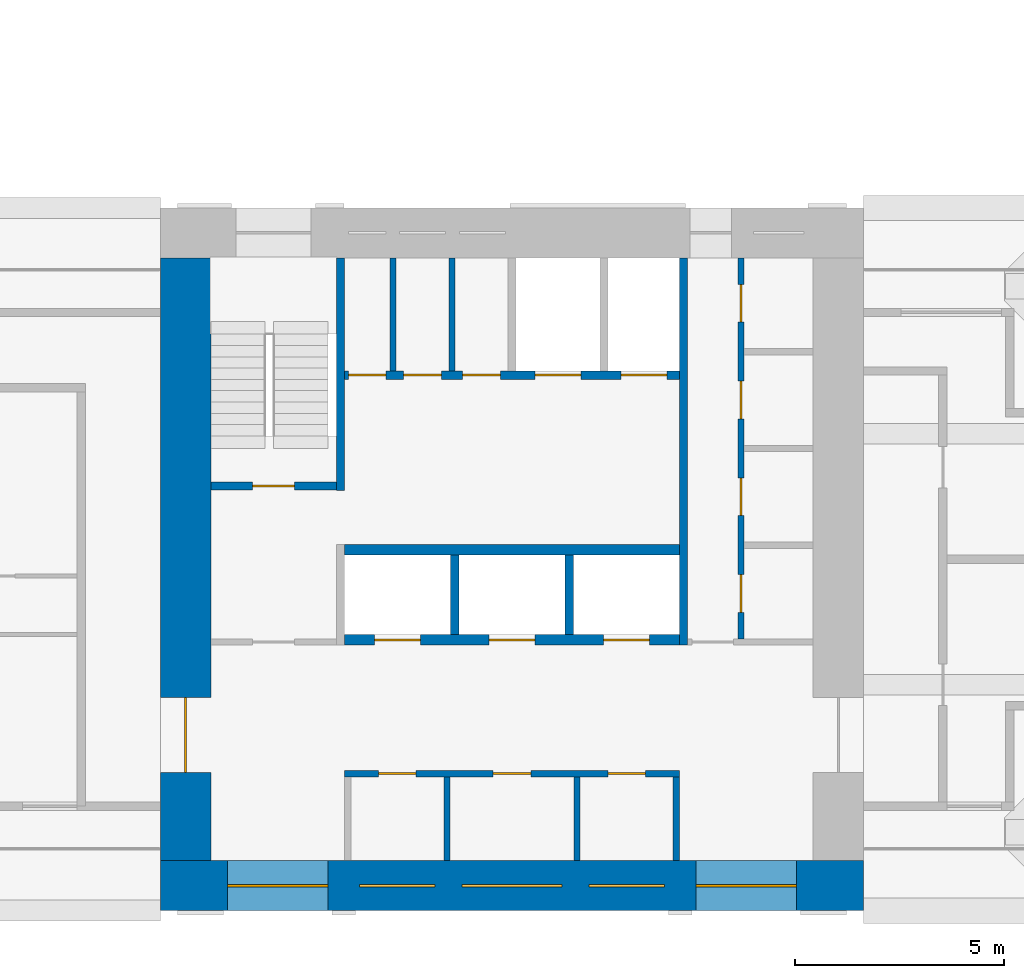
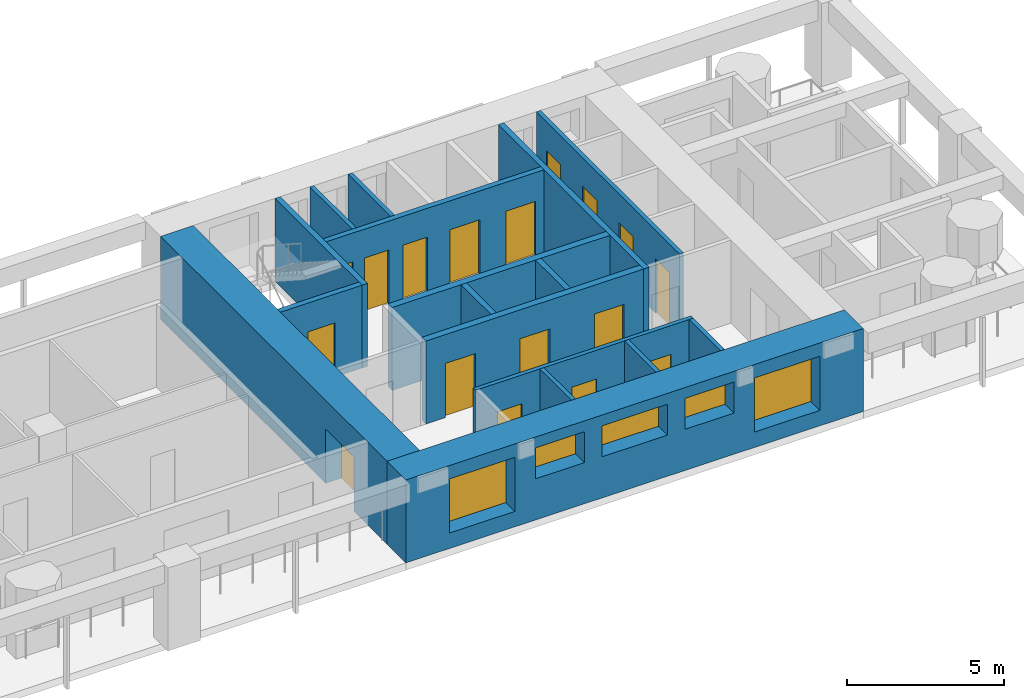
# One storey, part 4 of 13: 17 doors, 17 walls, 5 windows, 22 openings.
"""IFC4 building model written with IfcOpenShell, lengths in metres."""

import ifcopenshell
import ifcopenshell.guid

model = None  # the IFC model being written
_history = None  # IfcOwnerHistory: only IFC2X3 demands one
_inside = {}  # id of a spatial element -> (the spatial element, [elements in it])
_under = {}  # id of a project, library or spatial element -> (it, [spatial elements below it])
_declared = {}  # id of a project -> (the project, [libraries it declares])
_typed = {}  # id of a type object -> (the type object, [elements of that type])
_made_of = {}  # id of a material, layer set ... -> (it, [elements and type objects made of it])


def new_model(schema):
    """Start an empty IFC model of exactly this schema.

    Asked for "IFC4X3", IfcOpenShell would pick the latest addendum, in which some entities
    have other attributes; the version numbers below select the first issue.
    IFC2X3 requires an IfcOwnerHistory on every rooted entity: one is made here for all.
    """
    global model, _history
    if schema == "IFC4X3":
        model = ifcopenshell.file(schema_version=(4, 3, 0, 0))
    else:
        model = ifcopenshell.file(schema=schema)
    _inside.clear()
    _under.clear()
    _declared.clear()
    _typed.clear()
    _made_of.clear()
    _history = None
    if model.schema == "IFC2X3":
        org = make("IfcOrganization", Name="unknown")
        user = make(
            "IfcPersonAndOrganization",
            ThePerson=make("IfcPerson", FamilyName="unknown"),
            TheOrganization=org,
        )
        app = make(
            "IfcApplication",
            ApplicationDeveloper=org,
            Version="unknown",
            ApplicationFullName="unknown",
            ApplicationIdentifier="unknown",
        )
        _history = make(
            "IfcOwnerHistory",
            OwningUser=user,
            OwningApplication=app,
            ChangeAction="ADDED",
            CreationDate=0,
        )
    return model


def make(cls, **values):
    """One entity of the class cls with the attributes given. An attribute that is None is left unset."""
    return model.create_entity(
        cls, **{name: value for name, value in values.items() if value is not None}
    )


def rooted(cls, **values):
    """An entity with a GlobalId (a new one), such as an element, a storey or a relation."""
    return make(cls, GlobalId=ifcopenshell.guid.new(), OwnerHistory=_history, **values)


def si_unit(unit_type, name, prefix=None):
    """IfcSIUnit, for example si_unit("LENGTHUNIT", "METRE", prefix="MILLI")."""
    return make("IfcSIUnit", UnitType=unit_type, Prefix=prefix, Name=name)


def assignment(units):
    """IfcUnitAssignment: the units of a project."""
    return None if units is None else make("IfcUnitAssignment", Units=units)


def point(xyz):
    """IfcCartesianPoint."""
    return None if xyz is None else make("IfcCartesianPoint", Coordinates=xyz)


def direction(xyz):
    """IfcDirection."""
    return None if xyz is None else make("IfcDirection", DirectionRatios=xyz)


def frame(location, z_axis=None, x_axis=None):
    """IfcAxis2Placement3D, a coordinate frame: its origin and axes. An axis left out is left unset."""
    return make(
        "IfcAxis2Placement3D",
        Location=point(location),
        Axis=direction(z_axis),
        RefDirection=direction(x_axis),
    )


def frame_2d(location, x_axis=None):
    """IfcAxis2Placement2D, a coordinate frame in the plane: its origin and x axis."""
    return make(
        "IfcAxis2Placement2D", Location=point(location), RefDirection=direction(x_axis)
    )


def origin():
    """The frame at (0, 0, 0) with its axes left unset."""
    return frame((0.0, 0.0, 0.0))


def place(relative_to, where):
    """IfcLocalPlacement: puts the frame where relative to a parent placement (None: the world)."""
    return make(
        "IfcLocalPlacement", PlacementRelTo=relative_to, RelativePlacement=where
    )


def context(
    kind, dimensions, precision=None, world=None, true_north=None, identifier=None
):
    """IfcGeometricRepresentationContext, for example the 3D "Model" context."""
    return make(
        "IfcGeometricRepresentationContext",
        ContextIdentifier=identifier,
        ContextType=kind,
        CoordinateSpaceDimension=dimensions,
        Precision=precision,
        WorldCoordinateSystem=world,
        TrueNorth=true_north,
    )


def subcontext(parent, identifier, kind, view, scale=None):
    """IfcGeometricRepresentationSubContext, for example "Body" below "Model"."""
    return make(
        "IfcGeometricRepresentationSubContext",
        ContextIdentifier=identifier,
        ContextType=kind,
        ParentContext=parent,
        TargetScale=scale,
        TargetView=view,
    )


def project(units=None, contexts=None):
    """IfcProject with its units and contexts."""
    return rooted(
        "IfcProject",
        Name="project",
        RepresentationContexts=contexts,
        UnitsInContext=assignment(units),
    )


def spatial(cls, under=None, at=None, **own):
    """A site, building, storey or space (cls), placed at a placement, below another one or the project."""
    s = rooted(cls, ObjectPlacement=at, **own)
    if under is not None:
        _under.setdefault(under.id(), (under, []))[1].append(s)
    return s


def profile(cls, at=None, kind="AREA", **sizes):
    """A parametric profile (cls). Its sizes go by their IFC names, for example OverallWidth=200.0."""
    return make(cls, ProfileType=kind, Position=at, **sizes)


def rectangle(**sizes):
    """IfcRectangleProfileDef."""
    return profile("IfcRectangleProfileDef", **sizes)


def extrude(swept, where, along, depth):
    """IfcExtrudedAreaSolid: the profile swept, set in the frame where, extruded along a direction by depth."""
    return make(
        "IfcExtrudedAreaSolid",
        SweptArea=swept,
        Position=where,
        ExtrudedDirection=direction(along),
        Depth=depth,
    )


def shape(context_of_items, identifier, shape_type, items):
    """IfcShapeRepresentation: the items that make up one representation, for example the "Body"."""
    return make(
        "IfcShapeRepresentation",
        ContextOfItems=context_of_items,
        RepresentationIdentifier=identifier,
        RepresentationType=shape_type,
        Items=items,
    )


def material(Name=None, Category=None):
    """IfcMaterial."""
    return make("IfcMaterial", Name=Name, Category=Category)


def layer(
    of_material, thickness, ventilated=None, Name=None, Category=None, Priority=None
):
    """IfcMaterialLayer: one layer of a wall or slab, of a material (None: an air gap)."""
    return make(
        "IfcMaterialLayer",
        Material=of_material,
        LayerThickness=thickness,
        IsVentilated=ventilated,
        Name=Name,
        Category=Category,
        Priority=Priority,
    )


def layer_set(layers, Name=None):
    """IfcMaterialLayerSet."""
    return make("IfcMaterialLayerSet", MaterialLayers=layers, LayerSetName=Name)


def made_of(thing, what):
    """Note that an element or type object is made of a material, layer set ...; save() writes the relation."""
    if what is not None:
        _made_of.setdefault(what.id(), (what, []))[1].append(thing)
    return thing


def type_object(cls, material=None, **own):
    """A type object (cls), such as IfcWallType, which elements share."""
    return made_of(rooted(cls, **own), material)


def element(
    cls,
    number,
    at=None,
    inside=None,
    cuts=None,
    type_object=None,
    material=None,
    context=None,
    identifier="Body",
    shape_type=None,
    held_by="IfcProductDefinitionShape",
    body=None,
    shapes=None,
    **own,
):
    """One element of the class cls, such as IfcWall. Its Tag is "e" and its number.

    at: its placement. inside: the storey or other place that contains it. cuts: it is an
    opening in that element (IfcRelVoidsElement). A single representation is given by context,
    identifier, shape_type and body (its items); several are given by shapes. held_by: the class
    of the entity that holds the representations. save() writes the other relations.
    """
    e = rooted(cls, Tag="e%d" % number, ObjectPlacement=at, **own)
    if body is not None:
        shapes = [shape(context, identifier, shape_type, body)]
    if shapes is not None:
        e.Representation = make(held_by, Representations=shapes)
    if inside is not None:
        _inside.setdefault(inside.id(), (inside, []))[1].append(e)
    if cuts is not None:
        rooted(
            "IfcRelVoidsElement", RelatingBuildingElement=cuts, RelatedOpeningElement=e
        )
    if type_object is not None:
        _typed.setdefault(type_object.id(), (type_object, []))[1].append(e)
    return made_of(e, material)


def fill(opening, filler):
    """IfcRelFillsElement: the door or window that sits in an opening."""
    return rooted(
        "IfcRelFillsElement",
        RelatingOpeningElement=opening,
        RelatedBuildingElement=filler,
    )


def aggregate(whole, parts):
    """IfcRelAggregates: a whole, such as a stair, and the parts it consists of."""
    return rooted("IfcRelAggregates", RelatingObject=whole, RelatedObjects=parts)


def save(model, path):
    """Write the relations noted so far, then the file.

    IfcRelAggregates (storeys below a building ...), IfcRelContainedInSpatialStructure (elements
    in a storey), IfcRelDefinesByType, IfcRelAssociatesMaterial and IfcRelDeclares: one each for
    every whole, place, type object, material and project.
    """
    for whole, parts in _under.values():
        aggregate(whole, parts)
    for where, things in _inside.values():
        rooted(
            "IfcRelContainedInSpatialStructure",
            RelatedElements=things,
            RelatingStructure=where,
        )
    for kind, things in _typed.values():
        rooted("IfcRelDefinesByType", RelatedObjects=things, RelatingType=kind)
    for what, things in _made_of.values():
        rooted("IfcRelAssociatesMaterial", RelatedObjects=things, RelatingMaterial=what)
    for by, libraries in _declared.values():
        rooted("IfcRelDeclares", RelatingContext=by, RelatedDefinitions=libraries)
    model.write(path)


model = new_model("IFC4")

# Units and contexts
model_context = context("Model", 3, precision=1e-05, world=origin(), true_north=direction((0.0, 1.0)))
body_context = subcontext(model_context, "Body", "Model", "MODEL_VIEW")
ifc_project = project(units=[si_unit("LENGTHUNIT", "METRE"), si_unit("AREAUNIT", "SQUARE_METRE"), si_unit("VOLUMEUNIT", "CUBIC_METRE"), si_unit("PLANEANGLEUNIT", "RADIAN"), si_unit("MASSUNIT", "GRAM", prefix="KILO")], contexts=[model_context])

# Site, building, storey
site_placement = place(None, origin())
site = spatial("IfcSite", under=ifc_project, at=site_placement, CompositionType="ELEMENT")
building_placement = place(site_placement, origin())
building = spatial("IfcBuilding", under=site, at=building_placement, Name="Vermilion Gate Residences", CompositionType="ELEMENT")
storey_placement = place(building_placement, frame((0.0, 0.0, 165.199951171875)))
storey = spatial("IfcBuildingStorey", under=building, at=storey_placement, Name="L42", CompositionType="ELEMENT", Elevation=165.199951171875)

# Walls
ifc_material_1 = material(Name="Masonry blockwork", Category="masonry")
ifc_layer_1 = layer(ifc_material_1, 0.14990234375)
ifc_layer_set_1 = layer_set([ifc_layer_1], Name="BLOCKWORK PARTITION 150 EI 120")
wall_type_1 = type_object("IfcWallType", Name="BLOCKWORK PARTITION 150 EI 120", PredefinedType="PARTITIONING", material=ifc_layer_set_1)
for number, where, z_axis, x_axis, name in (
    (1, (54.324951171875, 9.60009765625, 0.0), (0.0, 0.0, 1.0), (0.0, 1.0, 0.0), "Core room partition A42-RW-E"),
    (2, (48.844970703125, 9.60009765625, 0.0), (0.0, 0.0, 1.0), (0.0, 1.0, 0.0), "Core room partition A42-SR-P0"),
    (3, (51.955078125, 9.60009765625, 0.0), (0.0, 0.0, 1.0), (0.0, 1.0, 0.0), "Core room partition A42-SR-P1"),
):
    element("IfcWall", number, at=place(storey_placement, frame(where, z_axis=z_axis, x_axis=x_axis)), inside=storey, type_object=wall_type_1, Name=name, PredefinedType="PARTITIONING", context=body_context, shape_type="SweptSolid", body=[
        extrude(rectangle(XDim=2.0, YDim=0.14990234375, at=frame_2d((1.0, 0.0))), origin(), (0.0, 0.0, 1.0), 3.219970703125),
    ])

# Wall, openings, doors
wall_1_placement = place(storey_placement, frame((46.39990234375, 11.675048828125, 0.0), z_axis=(0.0, 0.0, 1.0), x_axis=(1.0, 0.0, 0.0)))
wall_1 = element("IfcWall", 4, at=wall_1_placement, inside=storey, type_object=wall_type_1, Name="Core room partition A42-LR-F", PredefinedType="PARTITIONING", context=body_context, shape_type="SweptSolid", body=[
    extrude(rectangle(XDim=8.0, YDim=0.14990234375, at=frame_2d((4.0, 0.0))), origin(), (0.0, 0.0, 1.0), 3.219970703125),
])
opening_1_placement = place(wall_1_placement, frame((0.81005859375, 0.0, 0.0)))
opening_1 = element("IfcOpeningElement", 5, at=opening_1_placement, cuts=wall_1, Name="Opening DK42003", PredefinedType="OPENING", context=body_context, shape_type="SweptSolid", body=[
    extrude(rectangle(XDim=0.89990234375, YDim=2.10009765625, at=frame_2d((0.449951171875, 1.050048828125))), frame((0.0, 0.0849609375, 0.0), z_axis=(0.0, -1.0, 0.0), x_axis=(1.0, 0.0, 0.0)), (0.0, 0.0, 1.0), 0.169921875),
])
opening_2_placement = place(wall_1_placement, frame((3.550048828125, 0.0, 0.0)))
opening_2 = element("IfcOpeningElement", 6, at=opening_2_placement, cuts=wall_1, Name="Opening DK42004", PredefinedType="OPENING", context=body_context, shape_type="SweptSolid", body=[
    extrude(rectangle(XDim=0.89990234375, YDim=2.10009765625, at=frame_2d((0.449951171875, 1.050048828125))), frame((0.0, 0.0849609375, 0.0), z_axis=(0.0, -1.0, 0.0), x_axis=(1.0, 0.0, 0.0)), (0.0, 0.0, 1.0), 0.169921875),
])
opening_3_placement = place(wall_1_placement, frame((6.2900390625, 0.0, 0.0)))
opening_3 = element("IfcOpeningElement", 7, at=opening_3_placement, cuts=wall_1, Name="Opening DK42005", PredefinedType="OPENING", context=body_context, shape_type="SweptSolid", body=[
    extrude(rectangle(XDim=0.89990234375, YDim=2.10009765625, at=frame_2d((0.449951171875, 1.050048828125))), frame((0.0, 0.0849609375, 0.0), z_axis=(0.0, -1.0, 0.0), x_axis=(1.0, 0.0, 0.0)), (0.0, 0.0, 1.0), 0.169921875),
])
ifc_material_2 = material(Name="Steel", Category="steel")
door_type_1 = type_object("IfcDoorType", Name="SERVICE ROOM DOOR FD60 900 X 2100", OperationType="SINGLE_SWING_LEFT", PredefinedType="DOOR", material=ifc_material_2)
door_1_placement = place(opening_1_placement, frame((0.89990234375, 0.0, 0.0), z_axis=(0.0, 0.0, 1.0), x_axis=(-1.0, 0.0, 0.0)))
door_1 = element("IfcDoor", 8, at=door_1_placement, inside=storey, type_object=door_type_1, Name="Refuse room A42", OperationType="SINGLE_SWING_RIGHT", OverallHeight=2.10009765625, OverallWidth=0.89990234375, PredefinedType="DOOR", context=body_context, shape_type="SweptSolid", body=[
    extrude(rectangle(XDim=0.89990234375, YDim=2.10009765625, at=frame_2d((0.449951171875, 1.050048828125))), frame((0.0, 0.02490234375, 0.0), z_axis=(0.0, -1.0, 0.0), x_axis=(1.0, 0.0, 0.0)), (0.0, 0.0, 1.0), 0.050048828125),
])
fill(opening_1, door_1)
door_2_placement = place(opening_2_placement, frame((0.89990234375, 0.0, 0.0), z_axis=(0.0, 0.0, 1.0), x_axis=(-1.0, 0.0, 0.0)))
door_2 = element("IfcDoor", 9, at=door_2_placement, inside=storey, type_object=door_type_1, Name="Parcel room A42", OperationType="SINGLE_SWING_RIGHT", OverallHeight=2.10009765625, OverallWidth=0.89990234375, PredefinedType="DOOR", context=body_context, shape_type="SweptSolid", body=[
    extrude(rectangle(XDim=0.89990234375, YDim=2.10009765625, at=frame_2d((0.449951171875, 1.050048828125))), frame((0.0, 0.02490234375, 0.0), z_axis=(0.0, -1.0, 0.0), x_axis=(1.0, 0.0, 0.0)), (0.0, 0.0, 1.0), 0.050048828125),
])
fill(opening_2, door_2)
door_3_placement = place(opening_3_placement, frame((0.89990234375, 0.0, 0.0), z_axis=(0.0, 0.0, 1.0), x_axis=(-1.0, 0.0, 0.0)))
door_3 = element("IfcDoor", 10, at=door_3_placement, inside=storey, type_object=door_type_1, Name="Housekeeping store A42", OperationType="SINGLE_SWING_RIGHT", OverallHeight=2.10009765625, OverallWidth=0.89990234375, PredefinedType="DOOR", context=body_context, shape_type="SweptSolid", body=[
    extrude(rectangle(XDim=0.89990234375, YDim=2.10009765625, at=frame_2d((0.449951171875, 1.050048828125))), frame((0.0, 0.02490234375, 0.0), z_axis=(0.0, -1.0, 0.0), x_axis=(1.0, 0.0, 0.0)), (0.0, 0.0, 1.0), 0.050048828125),
])
fill(opening_3, door_3)

# Walls
for number, where, z_axis, x_axis, name in (
    (11, (47.554931640625, 21.300048828125, 0.0), (0.0, 0.0, 1.0), (0.0, 1.0, 0.0), "Core room partition A42-NR-P0"),
    (12, (48.965087890625, 21.300048828125, 0.0), (0.0, 0.0, 1.0), (0.0, 1.0, 0.0), "Core room partition A42-NR-P1"),
):
    element("IfcWall", number, at=place(storey_placement, frame(where, z_axis=z_axis, x_axis=x_axis)), inside=storey, type_object=wall_type_1, Name=name, PredefinedType="PARTITIONING", context=body_context, shape_type="SweptSolid", body=[
        extrude(rectangle(XDim=2.699951171875, YDim=0.14990234375, at=frame_2d((1.35009765625, 0.0))), origin(), (0.0, 0.0, 1.0), 3.219970703125),
    ])

# Wall, openings, doors
wall_2_placement = place(storey_placement, frame((55.875, 14.89990234375, 0.0), z_axis=(0.0, 0.0, 1.0), x_axis=(0.0, 1.0, 0.0)))
wall_2 = element("IfcWall", 13, at=wall_2_placement, inside=storey, type_object=wall_type_1, Name="Core room partition A42-ES-W", PredefinedType="PARTITIONING", context=body_context, shape_type="SweptSolid", body=[
    extrude(rectangle(XDim=9.10009765625, YDim=0.14990234375, at=frame_2d((4.550048828125, 0.0))), origin(), (0.0, 0.0, 1.0), 3.219970703125),
])
opening_4_placement = place(wall_2_placement, frame((0.63134765625, 0.0, 0.0)))
opening_4 = element("IfcOpeningElement", 14, at=opening_4_placement, cuts=wall_2, Name="Opening DK42017", PredefinedType="OPENING", context=body_context, shape_type="SweptSolid", body=[
    extrude(rectangle(XDim=0.89990234375, YDim=2.10009765625, at=frame_2d((0.449951171875, 1.050048828125))), frame((0.0, 0.0849609375, 0.0), z_axis=(0.0, -1.0, 0.0), x_axis=(1.0, 0.0, 0.0)), (0.0, 0.0, 1.0), 0.169921875),
])
opening_5_placement = place(wall_2_placement, frame((2.94384765625, 0.0, 0.0)))
opening_5 = element("IfcOpeningElement", 15, at=opening_5_placement, cuts=wall_2, Name="Opening DK42018", PredefinedType="OPENING", context=body_context, shape_type="SweptSolid", body=[
    extrude(rectangle(XDim=0.89990234375, YDim=2.10009765625, at=frame_2d((0.449951171875, 1.050048828125))), frame((0.0, 0.0849609375, 0.0), z_axis=(0.0, -1.0, 0.0), x_axis=(1.0, 0.0, 0.0)), (0.0, 0.0, 1.0), 0.169921875),
])
opening_6_placement = place(wall_2_placement, frame((5.25634765625, 0.0, 0.0)))
opening_6 = element("IfcOpeningElement", 16, at=opening_6_placement, cuts=wall_2, Name="Opening DK42019", PredefinedType="OPENING", context=body_context, shape_type="SweptSolid", body=[
    extrude(rectangle(XDim=0.89990234375, YDim=2.10009765625, at=frame_2d((0.449951171875, 1.050048828125))), frame((0.0, 0.0849609375, 0.0), z_axis=(0.0, -1.0, 0.0), x_axis=(1.0, 0.0, 0.0)), (0.0, 0.0, 1.0), 0.169921875),
])
opening_7_placement = place(wall_2_placement, frame((7.56884765625, 0.0, 0.0)))
opening_7 = element("IfcOpeningElement", 17, at=opening_7_placement, cuts=wall_2, Name="Opening DK42020", PredefinedType="OPENING", context=body_context, shape_type="SweptSolid", body=[
    extrude(rectangle(XDim=0.89990234375, YDim=2.10009765625, at=frame_2d((0.449951171875, 1.050048828125))), frame((0.0, 0.0849609375, 0.0), z_axis=(0.0, -1.0, 0.0), x_axis=(1.0, 0.0, 0.0)), (0.0, 0.0, 1.0), 0.169921875),
])
door_4_placement = place(opening_4_placement, frame((0.89990234375, 0.0, 0.0), z_axis=(0.0, 0.0, 1.0), x_axis=(-1.0, 0.0, 0.0)))
door_4 = element("IfcDoor", 18, at=door_4_placement, inside=storey, type_object=door_type_1, Name="Parcel room A42", OperationType="SINGLE_SWING_RIGHT", OverallHeight=2.10009765625, OverallWidth=0.89990234375, PredefinedType="DOOR", context=body_context, shape_type="SweptSolid", body=[
    extrude(rectangle(XDim=0.89990234375, YDim=2.10009765625, at=frame_2d((0.449951171875, 1.050048828125))), frame((0.0, 0.02490234375, 0.0), z_axis=(0.0, -1.0, 0.0), x_axis=(1.0, 0.0, 0.0)), (0.0, 0.0, 1.0), 0.050048828125),
])
fill(opening_4, door_4)
door_5_placement = place(opening_5_placement, frame((0.89990234375, 0.0, 0.0), z_axis=(0.0, 0.0, 1.0), x_axis=(-1.0, 0.0, 0.0)))
door_5 = element("IfcDoor", 19, at=door_5_placement, inside=storey, type_object=door_type_1, Name="Cleaner's store A42", OperationType="SINGLE_SWING_RIGHT", OverallHeight=2.10009765625, OverallWidth=0.89990234375, PredefinedType="DOOR", context=body_context, shape_type="SweptSolid", body=[
    extrude(rectangle(XDim=0.89990234375, YDim=2.10009765625, at=frame_2d((0.449951171875, 1.050048828125))), frame((0.0, 0.02490234375, 0.0), z_axis=(0.0, -1.0, 0.0), x_axis=(1.0, 0.0, 0.0)), (0.0, 0.0, 1.0), 0.050048828125),
])
fill(opening_5, door_5)
door_6_placement = place(opening_6_placement, frame((0.89990234375, 0.0, 0.0), z_axis=(0.0, 0.0, 1.0), x_axis=(-1.0, 0.0, 0.0)))
door_6 = element("IfcDoor", 20, at=door_6_placement, inside=storey, type_object=door_type_1, Name="Electrical room A42", OperationType="SINGLE_SWING_RIGHT", OverallHeight=2.10009765625, OverallWidth=0.89990234375, PredefinedType="DOOR", context=body_context, shape_type="SweptSolid", body=[
    extrude(rectangle(XDim=0.89990234375, YDim=2.10009765625, at=frame_2d((0.449951171875, 1.050048828125))), frame((0.0, 0.02490234375, 0.0), z_axis=(0.0, -1.0, 0.0), x_axis=(1.0, 0.0, 0.0)), (0.0, 0.0, 1.0), 0.050048828125),
])
fill(opening_6, door_6)
door_7_placement = place(opening_7_placement, frame((0.89990234375, 0.0, 0.0), z_axis=(0.0, 0.0, 1.0), x_axis=(-1.0, 0.0, 0.0)))
door_7 = element("IfcDoor", 21, at=door_7_placement, inside=storey, type_object=door_type_1, Name="Storage room A42", OperationType="SINGLE_SWING_RIGHT", OverallHeight=2.10009765625, OverallWidth=0.89990234375, PredefinedType="DOOR", context=body_context, shape_type="SweptSolid", body=[
    extrude(rectangle(XDim=0.89990234375, YDim=2.10009765625, at=frame_2d((0.449951171875, 1.050048828125))), frame((0.0, 0.02490234375, 0.0), z_axis=(0.0, -1.0, 0.0), x_axis=(1.0, 0.0, 0.0)), (0.0, 0.0, 1.0), 0.050048828125),
])
fill(opening_7, door_7)

# Walls
ifc_material_3 = material(Name="Concrete C60", Category="concrete")
ifc_layer_2 = layer(ifc_material_3, 0.199951171875)
ifc_layer_set_2 = layer_set([ifc_layer_2], Name="RC CORE INTERNAL WALL 200 C60")
wall_type_2 = type_object("IfcWallType", Name="RC CORE INTERNAL WALL 200 C60", PredefinedType="SHEAR", material=ifc_layer_set_2)
for number, where, z_axis, x_axis, name in (
    (22, (49.033447265625, 15.0, 0.0), (0.0, 0.0, 1.0), (0.0, 1.0, 0.0), "Core internal wall A42-HR-D1"),
    (23, (51.7666015625, 15.0, 0.0), (0.0, 0.0, 1.0), (0.0, 1.0, 0.0), "Core internal wall A42-HR-D2"),
):
    element("IfcWall", number, at=place(storey_placement, frame(where, z_axis=z_axis, x_axis=x_axis)), inside=storey, type_object=wall_type_2, Name=name, PredefinedType="SHEAR", context=body_context, shape_type="SweptSolid", body=[
        extrude(rectangle(XDim=1.89990234375, YDim=0.199951171875, at=frame_2d((0.949951171875, 0.0))), origin(), (0.0, 0.0, 1.0), 3.219970703125),
    ])

# Wall, openings, doors
wall_3_placement = place(storey_placement, frame((46.39990234375, 21.199951171875, 0.0), z_axis=(0.0, 0.0, 1.0), x_axis=(1.0, 0.0, 0.0)))
wall_3 = element("IfcWall", 24, at=wall_3_placement, inside=storey, type_object=wall_type_2, Name="Core internal wall A42-FF-F", PredefinedType="SHEAR", context=body_context, shape_type="SweptSolid", body=[
    extrude(rectangle(XDim=8.0, YDim=0.199951171875, at=frame_2d((4.0, 0.0))), origin(), (0.0, 0.0, 1.0), 3.219970703125),
])
opening_8_placement = place(wall_3_placement, frame((0.090087890625, 0.0, 0.0)))
opening_8 = element("IfcOpeningElement", 25, at=opening_8_placement, cuts=wall_3, Name="Opening DK42009", PredefinedType="OPENING", context=body_context, shape_type="SweptSolid", body=[
    extrude(rectangle(XDim=0.89990234375, YDim=2.10009765625, at=frame_2d((0.449951171875, 1.050048828125))), frame((0.0, 0.10986328125, 0.0), z_axis=(0.0, -1.0, 0.0), x_axis=(1.0, 0.0, 0.0)), (0.0, 0.0, 1.0), 0.219970703125),
])
opening_9_placement = place(wall_3_placement, frame((1.409912109375, 0.0, 0.0)))
opening_9 = element("IfcOpeningElement", 26, at=opening_9_placement, cuts=wall_3, Name="Opening DK42010", PredefinedType="OPENING", context=body_context, shape_type="SweptSolid", body=[
    extrude(rectangle(XDim=0.89990234375, YDim=2.10009765625, at=frame_2d((0.449951171875, 1.050048828125))), frame((0.0, 0.10986328125, 0.0), z_axis=(0.0, -1.0, 0.0), x_axis=(1.0, 0.0, 0.0)), (0.0, 0.0, 1.0), 0.219970703125),
])
opening_10_placement = place(wall_3_placement, frame((2.820068359375, 0.0, 0.0)))
opening_10 = element("IfcOpeningElement", 27, at=opening_10_placement, cuts=wall_3, Name="Opening DK42011", PredefinedType="OPENING", context=body_context, shape_type="SweptSolid", body=[
    extrude(rectangle(XDim=0.89990234375, YDim=2.10009765625, at=frame_2d((0.449951171875, 1.050048828125))), frame((0.0, 0.10986328125, 0.0), z_axis=(0.0, -1.0, 0.0), x_axis=(1.0, 0.0, 0.0)), (0.0, 0.0, 1.0), 0.219970703125),
])
opening_11_placement = place(wall_3_placement, frame((4.550048828125, 0.0, 0.0)))
opening_11 = element("IfcOpeningElement", 28, at=opening_11_placement, cuts=wall_3, Name="Opening LD", PredefinedType="OPENING", context=body_context, shape_type="SweptSolid", body=[
    extrude(rectangle(XDim=1.10009765625, YDim=2.10009765625, at=frame_2d((0.550048828125, 1.050048828125))), frame((0.0, 0.10986328125, 0.0), z_axis=(0.0, -1.0, 0.0), x_axis=(1.0, 0.0, 0.0)), (0.0, 0.0, 1.0), 0.219970703125),
])
opening_12_placement = place(wall_3_placement, frame((6.60009765625, 0.0, 0.0)))
opening_12 = element("IfcOpeningElement", 29, at=opening_12_placement, cuts=wall_3, Name="Opening LD", PredefinedType="OPENING", context=body_context, shape_type="SweptSolid", body=[
    extrude(rectangle(XDim=1.10009765625, YDim=2.10009765625, at=frame_2d((0.550048828125, 1.050048828125))), frame((0.0, 0.10986328125, 0.0), z_axis=(0.0, -1.0, 0.0), x_axis=(1.0, 0.0, 0.0)), (0.0, 0.0, 1.0), 0.219970703125),
])
ifc_material_4 = material(Name="Stainless steel", Category="steel")
door_type_2 = type_object("IfcDoorType", Name="LIFT LANDING DOOR E60 1100 X 2100", OperationType="DOUBLE_DOOR_SLIDING", PredefinedType="DOOR", material=ifc_material_4)
door_8_placement = place(opening_11_placement, origin())
door_8 = element("IfcDoor", 30, at=door_8_placement, inside=storey, type_object=door_type_2, Name="Lift landing door LFA1", OperationType="DOUBLE_DOOR_SLIDING", OverallHeight=2.10009765625, OverallWidth=1.10009765625, PredefinedType="DOOR", context=body_context, shape_type="SweptSolid", body=[
    extrude(rectangle(XDim=1.10009765625, YDim=2.10009765625, at=frame_2d((0.550048828125, 1.050048828125))), frame((0.0, 0.02490234375, 0.0), z_axis=(0.0, -1.0, 0.0), x_axis=(1.0, 0.0, 0.0)), (0.0, 0.0, 1.0), 0.050048828125),
])
fill(opening_11, door_8)
door_9_placement = place(opening_12_placement, origin())
door_9 = element("IfcDoor", 31, at=door_9_placement, inside=storey, type_object=door_type_2, Name="Lift landing door LCA1", OperationType="DOUBLE_DOOR_SLIDING", OverallHeight=2.10009765625, OverallWidth=1.10009765625, PredefinedType="DOOR", context=body_context, shape_type="SweptSolid", body=[
    extrude(rectangle(XDim=1.10009765625, YDim=2.10009765625, at=frame_2d((0.550048828125, 1.050048828125))), frame((0.0, 0.02490234375, 0.0), z_axis=(0.0, -1.0, 0.0), x_axis=(1.0, 0.0, 0.0)), (0.0, 0.0, 1.0), 0.050048828125),
])
fill(opening_12, door_9)
door_10_placement = place(opening_8_placement, origin())
door_10 = element("IfcDoor", 32, at=door_10_placement, inside=storey, type_object=door_type_1, Name="Communications riser A42", OperationType="SINGLE_SWING_RIGHT", OverallHeight=2.10009765625, OverallWidth=0.89990234375, PredefinedType="DOOR", context=body_context, shape_type="SweptSolid", body=[
    extrude(rectangle(XDim=0.89990234375, YDim=2.10009765625, at=frame_2d((0.449951171875, 1.050048828125))), frame((0.0, 0.02490234375, 0.0), z_axis=(0.0, -1.0, 0.0), x_axis=(1.0, 0.0, 0.0)), (0.0, 0.0, 1.0), 0.050048828125),
])
fill(opening_8, door_10)
door_11_placement = place(opening_9_placement, origin())
door_11 = element("IfcDoor", 33, at=door_11_placement, inside=storey, type_object=door_type_1, Name="Refuse room A42", OperationType="SINGLE_SWING_LEFT", OverallHeight=2.10009765625, OverallWidth=0.89990234375, PredefinedType="DOOR", context=body_context, shape_type="SweptSolid", body=[
    extrude(rectangle(XDim=0.89990234375, YDim=2.10009765625, at=frame_2d((0.449951171875, 1.050048828125))), frame((0.0, 0.02490234375, 0.0), z_axis=(0.0, -1.0, 0.0), x_axis=(1.0, 0.0, 0.0)), (0.0, 0.0, 1.0), 0.050048828125),
])
fill(opening_9, door_11)
door_12_placement = place(opening_10_placement, origin())
door_12 = element("IfcDoor", 34, at=door_12_placement, inside=storey, type_object=door_type_1, Name="Parcel room A42", OperationType="SINGLE_SWING_LEFT", OverallHeight=2.10009765625, OverallWidth=0.89990234375, PredefinedType="DOOR", context=body_context, shape_type="SweptSolid", body=[
    extrude(rectangle(XDim=0.89990234375, YDim=2.10009765625, at=frame_2d((0.449951171875, 1.050048828125))), frame((0.0, 0.02490234375, 0.0), z_axis=(0.0, -1.0, 0.0), x_axis=(1.0, 0.0, 0.0)), (0.0, 0.0, 1.0), 0.050048828125),
])
fill(opening_10, door_12)

# Wall
wall_4_placement = place(storey_placement, frame((46.300048828125, 18.449951171875, 0.0), z_axis=(0.0, 0.0, 1.0), x_axis=(0.0, 1.0, 0.0)))
element("IfcWall", 35, at=wall_4_placement, inside=storey, type_object=wall_type_2, Name="Core internal wall A42-WDIV2", PredefinedType="SHEAR", context=body_context, shape_type="SweptSolid", body=[
    extrude(rectangle(XDim=5.550048828125, YDim=0.199951171875, at=frame_2d((2.77490234375, 0.0))), origin(), (0.0, 0.0, 1.0), 3.219970703125),
])

# Wall, opening, door
wall_5_placement = place(storey_placement, frame((43.199951171875, 18.550048828125, 0.0), z_axis=(0.0, 0.0, 1.0), x_axis=(1.0, 0.0, 0.0)))
wall_5 = element("IfcWall", 36, at=wall_5_placement, inside=storey, type_object=wall_type_2, Name="Core internal wall A42-STW-S", PredefinedType="SHEAR", context=body_context, shape_type="SweptSolid", body=[
    extrude(rectangle(XDim=3.0, YDim=0.199951171875, at=frame_2d((1.5, 0.0))), origin(), (0.0, 0.0, 1.0), 3.219970703125),
])
opening_13_placement = place(wall_5_placement, frame((1.0, 0.0, 0.0)))
opening_13 = element("IfcOpeningElement", 37, at=opening_13_placement, cuts=wall_5, Name="Opening DK42015", PredefinedType="OPENING", context=body_context, shape_type="SweptSolid", body=[
    extrude(rectangle(XDim=1.0, YDim=2.10009765625, at=frame_2d((0.5, 1.050048828125))), frame((0.0, 0.10986328125, 0.0), z_axis=(0.0, -1.0, 0.0), x_axis=(1.0, 0.0, 0.0)), (0.0, 0.0, 1.0), 0.219970703125),
])
ifc_material_5 = material(Name="Steel", Category="steel")
door_type_3 = type_object("IfcDoorType", Name="FIRE DOOR FD60 1000 X 2100", OperationType="SINGLE_SWING_LEFT", PredefinedType="DOOR", material=ifc_material_5)
door_13_placement = place(opening_13_placement, origin())
door_13 = element("IfcDoor", 38, at=door_13_placement, inside=storey, type_object=door_type_3, Name="Stair door A42", OperationType="SINGLE_SWING_LEFT", OverallHeight=2.10009765625, OverallWidth=1.0, PredefinedType="DOOR", context=body_context, shape_type="SweptSolid", body=[
    extrude(rectangle(XDim=1.0, YDim=2.10009765625, at=frame_2d((0.5, 1.050048828125))), frame((0.0, 0.02490234375, 0.0), z_axis=(0.0, -1.0, 0.0), x_axis=(1.0, 0.0, 0.0)), (0.0, 0.0, 1.0), 0.050048828125),
])
fill(opening_13, door_13)

# Wall
wall_6_placement = place(storey_placement, frame((54.5, 14.75, 0.0), z_axis=(0.0, 0.0, 1.0), x_axis=(0.0, 1.0, 0.0)))
element("IfcWall", 39, at=wall_6_placement, inside=storey, type_object=wall_type_2, Name="Core internal wall A42-EDIV", PredefinedType="SHEAR", context=body_context, shape_type="SweptSolid", body=[
    extrude(rectangle(XDim=9.25, YDim=0.199951171875, at=frame_2d((4.625, 0.0))), origin(), (0.0, 0.0, 1.0), 3.219970703125),
])

# Wall, opening, door
ifc_material_6 = material(Name="Concrete C60", Category="concrete")
ifc_layer_3 = layer(ifc_material_6, 1.199951171875)
ifc_layer_set_3 = layer_set([ifc_layer_3], Name="RC CORE WALL 1200 C60")
wall_type_3 = type_object("IfcWallType", Name="RC CORE WALL 1200 C60", PredefinedType="SHEAR", material=ifc_layer_set_3)
wall_7_placement = place(storey_placement, frame((42.60009765625, 9.60009765625, 0.0), z_axis=(0.0, 0.0, 1.0), x_axis=(0.0, 1.0, 0.0)))
wall_7 = element("IfcWall", 40, at=wall_7_placement, inside=storey, type_object=wall_type_3, Name="Core wall A42-OUT-FR", PredefinedType="SHEAR", context=body_context, shape_type="SweptSolid", body=[
    extrude(rectangle(XDim=14.39990234375, YDim=1.199951171875, at=frame_2d((7.199951171875, 0.0))), origin(), (0.0, 0.0, 1.0), 3.219970703125),
])
opening_14_placement = place(wall_7_placement, frame((2.10009765625, 0.0, 0.0)))
opening_14 = element("IfcOpeningElement", 41, at=opening_14_placement, cuts=wall_7, Name="Opening DK42001", PredefinedType="OPENING", context=body_context, shape_type="SweptSolid", body=[
    extrude(rectangle(XDim=1.800048828125, YDim=2.10009765625, at=frame_2d((0.89990234375, 1.050048828125))), frame((0.0, 0.60986328125, 0.0), z_axis=(0.0, -1.0, 0.0), x_axis=(1.0, 0.0, 0.0)), (0.0, 0.0, 1.0), 1.219970703125),
])
ifc_material_7 = material(Name="Steel", Category="steel")
door_type_4 = type_object("IfcDoorType", Name="CORE LOBBY DOOR FD60 1800 X 2100", OperationType="DOUBLE_DOOR_SINGLE_SWING", PredefinedType="DOOR", material=ifc_material_7)
door_14_placement = place(opening_14_placement, frame((1.800048828125, 0.0, 0.0), z_axis=(0.0, 0.0, 1.0), x_axis=(-1.0, 0.0, 0.0)))
door_14 = element("IfcDoor", 42, at=door_14_placement, inside=storey, type_object=door_type_4, Name="Core lobby door A42", OperationType="DOUBLE_DOOR_SINGLE_SWING", OverallHeight=2.10009765625, OverallWidth=1.800048828125, PredefinedType="DOOR", context=body_context, shape_type="SweptSolid", body=[
    extrude(rectangle(XDim=1.800048828125, YDim=2.10009765625, at=frame_2d((0.89990234375, 1.050048828125))), frame((0.0, 0.02490234375, 0.0), z_axis=(0.0, -1.0, 0.0), x_axis=(1.0, 0.0, 0.0)), (0.0, 0.0, 1.0), 0.050048828125),
])
fill(opening_14, door_14)

# Wall, openings, windows
ifc_material_8 = material(Name="Concrete C60 red-oxide pigmented", Category="concrete")
ifc_layer_4 = layer(ifc_material_8, 1.199951171875)
ifc_layer_set_4 = layer_set([ifc_layer_4], Name="RC CORE WALL 1200 C60 RED OXIDE")
wall_type_4 = type_object("IfcWallType", Name="RC CORE WALL 1200 C60 RED OXIDE", PredefinedType="SHEAR", material=ifc_layer_set_4)
wall_8_placement = place(storey_placement, frame((42.0, 9.0, 0.0), z_axis=(0.0, 0.0, 1.0), x_axis=(1.0, 0.0, 0.0)))
wall_8 = element("IfcWall", 43, at=wall_8_placement, inside=storey, type_object=wall_type_4, Name="Core wall A42-OUT-B0", PredefinedType="SHEAR", context=body_context, shape_type="SweptSolid", body=[
    extrude(rectangle(XDim=16.800048828125, YDim=1.199951171875, at=frame_2d((8.39990234375, 0.0))), origin(), (0.0, 0.0, 1.0), 3.219970703125),
])
opening_15_placement = place(wall_8_placement, frame((1.60009765625, 0.0, 0.60009765625)))
opening_15 = element("IfcOpeningElement", 44, at=opening_15_placement, cuts=wall_8, Name="Opening WKA4201", PredefinedType="OPENING", context=body_context, shape_type="SweptSolid", body=[
    extrude(rectangle(XDim=2.39990234375, YDim=2.10009765625, at=frame_2d((1.199951171875, 1.050048828125))), frame((0.0, 0.60986328125, 0.0), z_axis=(0.0, -1.0, 0.0), x_axis=(1.0, 0.0, 0.0)), (0.0, 0.0, 1.0), 1.219970703125),
])
opening_16_placement = place(wall_8_placement, frame((4.760009765625, 0.0, 1.60009765625)))
opening_16 = element("IfcOpeningElement", 45, at=opening_16_placement, cuts=wall_8, Name="Opening WKA4202", PredefinedType="OPENING", context=body_context, shape_type="SweptSolid", body=[
    extrude(rectangle(XDim=1.800048828125, YDim=1.199951171875, at=frame_2d((0.89990234375, 0.60009765625))), frame((0.0, 0.60986328125, 0.0), z_axis=(0.0, -1.0, 0.0), x_axis=(1.0, 0.0, 0.0)), (0.0, 0.0, 1.0), 1.219970703125),
])
opening_17_placement = place(wall_8_placement, frame((7.199951171875, 0.0, 1.60009765625)))
opening_17 = element("IfcOpeningElement", 46, at=opening_17_placement, cuts=wall_8, Name="Opening WKA4203", PredefinedType="OPENING", context=body_context, shape_type="SweptSolid", body=[
    extrude(rectangle(XDim=2.39990234375, YDim=1.199951171875, at=frame_2d((1.199951171875, 0.60009765625))), frame((0.0, 0.60986328125, 0.0), z_axis=(0.0, -1.0, 0.0), x_axis=(1.0, 0.0, 0.0)), (0.0, 0.0, 1.0), 1.219970703125),
])
opening_18_placement = place(wall_8_placement, frame((10.239990234375, 0.0, 1.60009765625)))
opening_18 = element("IfcOpeningElement", 47, at=opening_18_placement, cuts=wall_8, Name="Opening WKA4204", PredefinedType="OPENING", context=body_context, shape_type="SweptSolid", body=[
    extrude(rectangle(XDim=1.800048828125, YDim=1.199951171875, at=frame_2d((0.89990234375, 0.60009765625))), frame((0.0, 0.60986328125, 0.0), z_axis=(0.0, -1.0, 0.0), x_axis=(1.0, 0.0, 0.0)), (0.0, 0.0, 1.0), 1.219970703125),
])
opening_19_placement = place(wall_8_placement, frame((12.800048828125, 0.0, 0.60009765625)))
opening_19 = element("IfcOpeningElement", 48, at=opening_19_placement, cuts=wall_8, Name="Opening WKA4205", PredefinedType="OPENING", context=body_context, shape_type="SweptSolid", body=[
    extrude(rectangle(XDim=2.39990234375, YDim=2.10009765625, at=frame_2d((1.199951171875, 1.050048828125))), frame((0.0, 0.60986328125, 0.0), z_axis=(0.0, -1.0, 0.0), x_axis=(1.0, 0.0, 0.0)), (0.0, 0.0, 1.0), 1.219970703125),
])
ifc_material_9 = material(Name="Aluminium and clear glass", Category="aluminium")
window_type_1 = type_object("IfcWindowType", Name="CORE LOBBY WINDOW 2400 X 2100", PartitioningType="SINGLE_PANEL", PredefinedType="WINDOW", material=ifc_material_9)
window_1_placement = place(opening_15_placement, origin())
window_1 = element("IfcWindow", 49, at=window_1_placement, inside=storey, type_object=window_type_1, Name="Core lobby window", OverallHeight=2.10009765625, OverallWidth=2.39990234375, PartitioningType="SINGLE_PANEL", PredefinedType="WINDOW", context=body_context, shape_type="SweptSolid", body=[
    extrude(rectangle(XDim=2.39990234375, YDim=2.10009765625, at=frame_2d((1.199951171875, 1.050048828125))), frame((0.0, 0.030029296875, 0.0), z_axis=(0.0, -1.0, 0.0), x_axis=(1.0, 0.0, 0.0)), (0.0, 0.0, 1.0), 0.06005859375),
])
fill(opening_15, window_1)
window_2_placement = place(opening_19_placement, origin())
window_2 = element("IfcWindow", 50, at=window_2_placement, inside=storey, type_object=window_type_1, Name="Core lobby window", OverallHeight=2.10009765625, OverallWidth=2.39990234375, PartitioningType="SINGLE_PANEL", PredefinedType="WINDOW", context=body_context, shape_type="SweptSolid", body=[
    extrude(rectangle(XDim=2.39990234375, YDim=2.10009765625, at=frame_2d((1.199951171875, 1.050048828125))), frame((0.0, 0.030029296875, 0.0), z_axis=(0.0, -1.0, 0.0), x_axis=(1.0, 0.0, 0.0)), (0.0, 0.0, 1.0), 0.06005859375),
])
fill(opening_19, window_2)
ifc_material_10 = material(Name="Aluminium frame with louvre blades", Category="aluminium")
window_type_2 = type_object("IfcWindowType", Name="CORE LOUVRE 1800 X 1200", PartitioningType="SINGLE_PANEL", PredefinedType="WINDOW", material=ifc_material_10)
window_3_placement = place(opening_16_placement, origin())
window_3 = element("IfcWindow", 51, at=window_3_placement, inside=storey, type_object=window_type_2, Name="Core louvre", OverallHeight=1.199951171875, OverallWidth=1.800048828125, PartitioningType="SINGLE_PANEL", PredefinedType="WINDOW", context=body_context, shape_type="SweptSolid", body=[
    extrude(rectangle(XDim=1.800048828125, YDim=1.199951171875, at=frame_2d((0.89990234375, 0.60009765625))), frame((0.0, 0.030029296875, 0.0), z_axis=(0.0, -1.0, 0.0), x_axis=(1.0, 0.0, 0.0)), (0.0, 0.0, 1.0), 0.06005859375),
])
fill(opening_16, window_3)
window_4_placement = place(opening_18_placement, origin())
window_4 = element("IfcWindow", 52, at=window_4_placement, inside=storey, type_object=window_type_2, Name="Core louvre", OverallHeight=1.199951171875, OverallWidth=1.800048828125, PartitioningType="SINGLE_PANEL", PredefinedType="WINDOW", context=body_context, shape_type="SweptSolid", body=[
    extrude(rectangle(XDim=1.800048828125, YDim=1.199951171875, at=frame_2d((0.89990234375, 0.60009765625))), frame((0.0, 0.030029296875, 0.0), z_axis=(0.0, -1.0, 0.0), x_axis=(1.0, 0.0, 0.0)), (0.0, 0.0, 1.0), 0.06005859375),
])
fill(opening_18, window_4)
ifc_material_11 = material(Name="Aluminium frame with louvre blades", Category="aluminium")
window_type_3 = type_object("IfcWindowType", Name="CORE LOUVRE 2400 X 1200", PartitioningType="SINGLE_PANEL", PredefinedType="WINDOW", material=ifc_material_11)
window_5_placement = place(opening_17_placement, origin())
window_5 = element("IfcWindow", 53, at=window_5_placement, inside=storey, type_object=window_type_3, Name="Core louvre", OverallHeight=1.199951171875, OverallWidth=2.39990234375, PartitioningType="SINGLE_PANEL", PredefinedType="WINDOW", context=body_context, shape_type="SweptSolid", body=[
    extrude(rectangle(XDim=2.39990234375, YDim=1.199951171875, at=frame_2d((1.199951171875, 0.60009765625))), frame((0.0, 0.030029296875, 0.0), z_axis=(0.0, -1.0, 0.0), x_axis=(1.0, 0.0, 0.0)), (0.0, 0.0, 1.0), 0.06005859375),
])
fill(opening_17, window_5)

# Wall, openings, doors
ifc_material_12 = material(Name="Concrete C60", Category="concrete")
ifc_layer_5 = layer(ifc_material_12, 0.25)
ifc_layer_set_5 = layer_set([ifc_layer_5], Name="RC LIFT SHAFT WALL 250 C60")
wall_type_5 = type_object("IfcWallType", Name="RC LIFT SHAFT WALL 250 C60", PredefinedType="SHEAR", material=ifc_layer_set_5)
wall_9_placement = place(storey_placement, frame((46.39990234375, 14.875, 0.0), z_axis=(0.0, 0.0, 1.0), x_axis=(1.0, 0.0, 0.0)))
wall_9 = element("IfcWall", 54, at=wall_9_placement, inside=storey, type_object=wall_type_5, Name="Lift shaft wall A42-HR-F", PredefinedType="SHEAR", context=body_context, shape_type="SweptSolid", body=[
    extrude(rectangle(XDim=8.0, YDim=0.25, at=frame_2d((4.0, 0.0))), origin(), (0.0, 0.0, 1.0), 3.219970703125),
])
opening_20_placement = place(wall_9_placement, frame((0.716552734375, 0.0, 0.0)))
opening_20 = element("IfcOpeningElement", 55, at=opening_20_placement, cuts=wall_9, Name="Opening LD", PredefinedType="OPENING", context=body_context, shape_type="SweptSolid", body=[
    extrude(rectangle(XDim=1.10009765625, YDim=2.10009765625, at=frame_2d((0.550048828125, 1.050048828125))), frame((0.0, 0.135009765625, 0.0), z_axis=(0.0, -1.0, 0.0), x_axis=(1.0, 0.0, 0.0)), (0.0, 0.0, 1.0), 0.27001953125),
])
opening_21_placement = place(wall_9_placement, frame((3.449951171875, 0.0, 0.0)))
opening_21 = element("IfcOpeningElement", 56, at=opening_21_placement, cuts=wall_9, Name="Opening LD", PredefinedType="OPENING", context=body_context, shape_type="SweptSolid", body=[
    extrude(rectangle(XDim=1.10009765625, YDim=2.10009765625, at=frame_2d((0.550048828125, 1.050048828125))), frame((0.0, 0.135009765625, 0.0), z_axis=(0.0, -1.0, 0.0), x_axis=(1.0, 0.0, 0.0)), (0.0, 0.0, 1.0), 0.27001953125),
])
opening_22_placement = place(wall_9_placement, frame((6.183349609375, 0.0, 0.0)))
opening_22 = element("IfcOpeningElement", 57, at=opening_22_placement, cuts=wall_9, Name="Opening LD", PredefinedType="OPENING", context=body_context, shape_type="SweptSolid", body=[
    extrude(rectangle(XDim=1.10009765625, YDim=2.10009765625, at=frame_2d((0.550048828125, 1.050048828125))), frame((0.0, 0.135009765625, 0.0), z_axis=(0.0, -1.0, 0.0), x_axis=(1.0, 0.0, 0.0)), (0.0, 0.0, 1.0), 0.27001953125),
])
door_15_placement = place(opening_20_placement, origin())
door_15 = element("IfcDoor", 58, at=door_15_placement, inside=storey, type_object=door_type_2, Name="Lift landing door HRA1", OperationType="DOUBLE_DOOR_SLIDING", OverallHeight=2.10009765625, OverallWidth=1.10009765625, PredefinedType="DOOR", context=body_context, shape_type="SweptSolid", body=[
    extrude(rectangle(XDim=1.10009765625, YDim=2.10009765625, at=frame_2d((0.550048828125, 1.050048828125))), frame((0.0, 0.02490234375, 0.0), z_axis=(0.0, -1.0, 0.0), x_axis=(1.0, 0.0, 0.0)), (0.0, 0.0, 1.0), 0.050048828125),
])
fill(opening_20, door_15)
door_16_placement = place(opening_21_placement, origin())
door_16 = element("IfcDoor", 59, at=door_16_placement, inside=storey, type_object=door_type_2, Name="Lift landing door HRA2", OperationType="DOUBLE_DOOR_SLIDING", OverallHeight=2.10009765625, OverallWidth=1.10009765625, PredefinedType="DOOR", context=body_context, shape_type="SweptSolid", body=[
    extrude(rectangle(XDim=1.10009765625, YDim=2.10009765625, at=frame_2d((0.550048828125, 1.050048828125))), frame((0.0, 0.02490234375, 0.0), z_axis=(0.0, -1.0, 0.0), x_axis=(1.0, 0.0, 0.0)), (0.0, 0.0, 1.0), 0.050048828125),
])
fill(opening_21, door_16)
door_17_placement = place(opening_22_placement, origin())
door_17 = element("IfcDoor", 60, at=door_17_placement, inside=storey, type_object=door_type_2, Name="Lift landing door HRA3", OperationType="DOUBLE_DOOR_SLIDING", OverallHeight=2.10009765625, OverallWidth=1.10009765625, PredefinedType="DOOR", context=body_context, shape_type="SweptSolid", body=[
    extrude(rectangle(XDim=1.10009765625, YDim=2.10009765625, at=frame_2d((0.550048828125, 1.050048828125))), frame((0.0, 0.02490234375, 0.0), z_axis=(0.0, -1.0, 0.0), x_axis=(1.0, 0.0, 0.0)), (0.0, 0.0, 1.0), 0.050048828125),
])
fill(opening_22, door_17)

# Wall
wall_10_placement = place(storey_placement, frame((46.39990234375, 17.02490234375, 0.0), z_axis=(0.0, 0.0, 1.0), x_axis=(1.0, 0.0, 0.0)))
element("IfcWall", 61, at=wall_10_placement, inside=storey, type_object=wall_type_5, Name="Lift shaft wall A42-HR-B", PredefinedType="SHEAR", context=body_context, shape_type="SweptSolid", body=[
    extrude(rectangle(XDim=8.0, YDim=0.25, at=frame_2d((4.0, 0.0))), origin(), (0.0, 0.0, 1.0), 3.219970703125),
])

save(model, "model.ifc")
